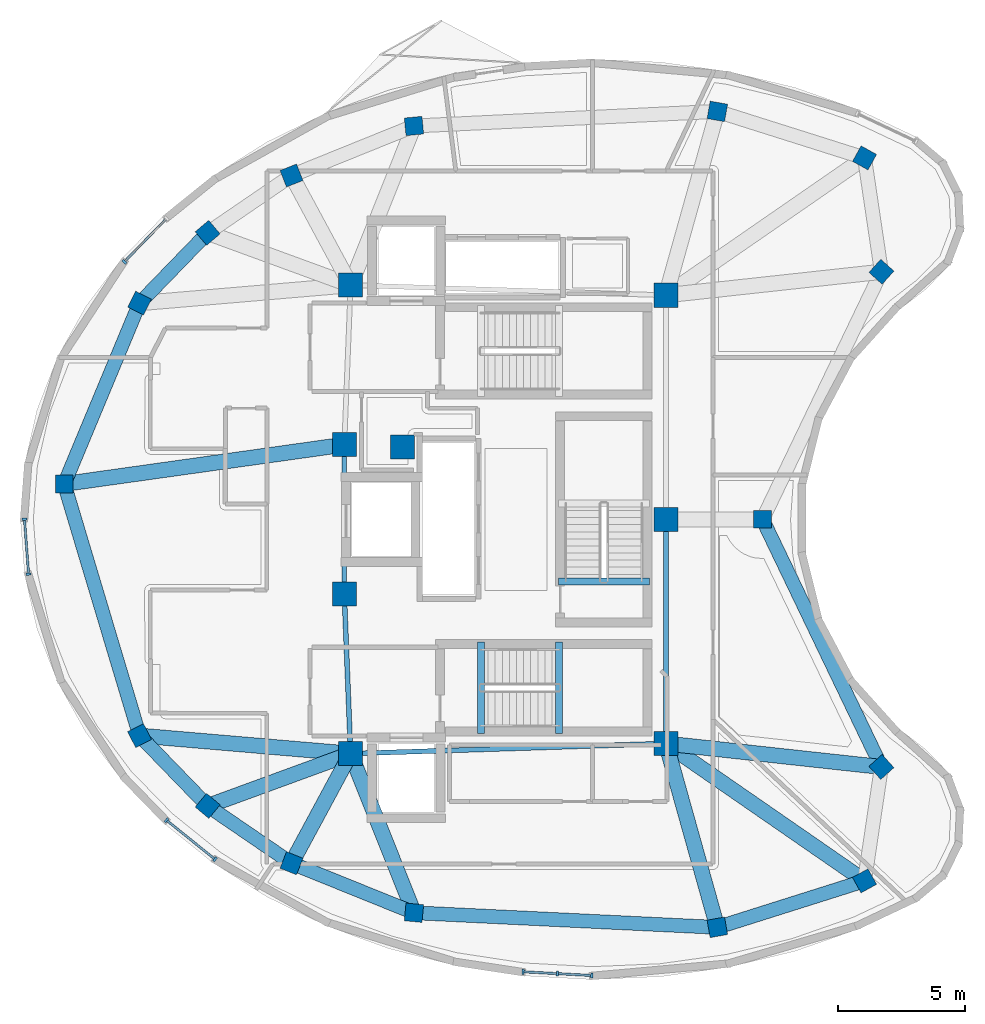
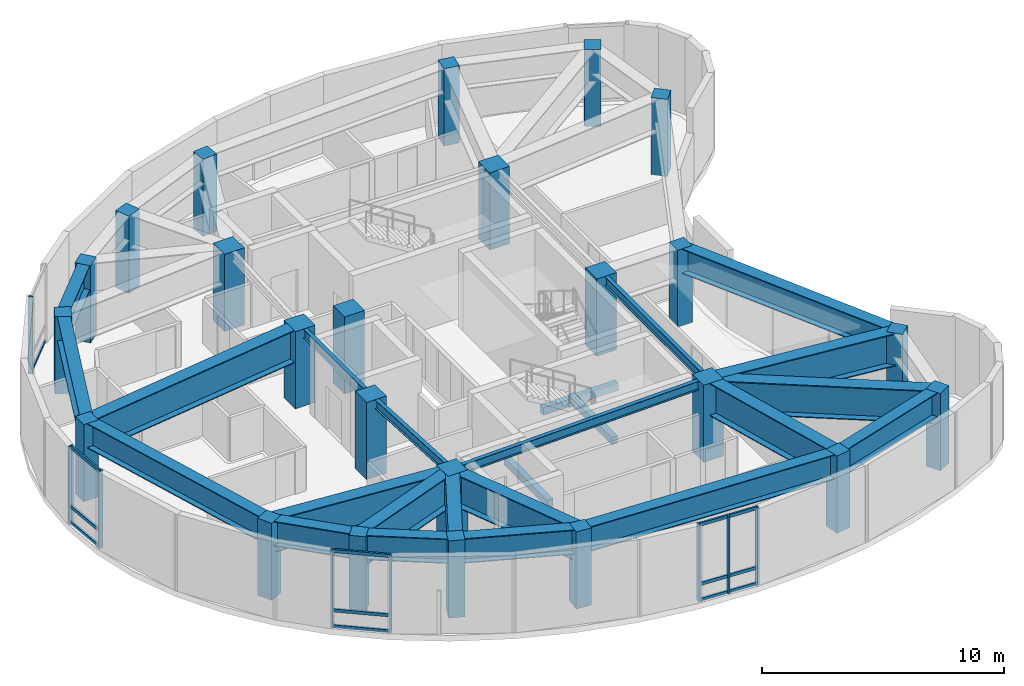
# One storey, part 1 of 8: 24 beams, 24 columns, 21 members, 4 elements without a shape of their own.
"""IFC4 building model written with IfcOpenShell, lengths in metres."""

from ifc_helpers import new_model, si_unit, direction, frame, origin, origin_2d, place, context, subcontext, project, spatial, rectangle, i_section, extrude, material, layer, layer_set, material_profile, profile_set, type_object, element, aggregate, save


model = new_model("IFC4")

# Units and contexts
model_context = context("Model", 3, precision=1e-05, world=origin(), true_north=direction((0.0, 1.0)))
body_context = subcontext(model_context, "Body", "Model", "MODEL_VIEW")
ifc_project = project(units=[si_unit("LENGTHUNIT", "METRE"), si_unit("AREAUNIT", "SQUARE_METRE"), si_unit("VOLUMEUNIT", "CUBIC_METRE"), si_unit("PLANEANGLEUNIT", "RADIAN"), si_unit("MASSUNIT", "GRAM", prefix="KILO")], contexts=[model_context])

# Site, building, storey
site_placement = place(None, origin())
site = spatial("IfcSite", under=ifc_project, at=site_placement, CompositionType="ELEMENT")
building_placement = place(site_placement, origin())
building = spatial("IfcBuilding", under=site, at=building_placement, Name="Korentha Bioscience Tower", CompositionType="ELEMENT")
storey_placement = place(building_placement, frame((0.0, 0.0, 314.39990234375)))
storey = spatial("IfcBuildingStorey", under=building, at=storey_placement, Name="L72", CompositionType="ELEMENT", Elevation=314.39990234375)

# Columns
ifc_material_1 = material(Name="Concrete C65", Category="concrete")
ifc_material_profile_1 = material_profile(ifc_material_1, rectangle(XDim=0.949951171875, YDim=0.949951171875, at=origin_2d()), Name="Concrete C65")
ifc_profile_set_1 = profile_set([ifc_material_profile_1], Name="Concrete C65 (COL-CP09)")
column_type_1 = type_object("IfcColumnType", Name="Core Pilaster Column RC 950x950", PredefinedType="PILASTER", material=ifc_profile_set_1)
for number, where, z_axis, x_axis, name in (
    (1, (37.550048828125, 35.85009765625, -0.00048828125), (0.0, 0.0, 1.0), (1.0, 0.0, 0.0), "L72 Core Pilaster CP-01"),
    (2, (25.10009765625, 36.25, -0.00048828125), (0.0, 0.0, 1.0), (1.0, 0.0, 0.0), "L72 Core Pilaster CP-02"),
    (3, (24.85009765625, 29.949951171875, -0.00048828125), (0.0, 0.0, 1.0), (1.0, 0.0, 0.0), "L72 Core Pilaster CP-03"),
    (4, (27.14990234375, 29.85009765625, -0.00048828125), (0.0, 0.0, 1.0), (1.0, 0.0, 0.0), "L72 Core Pilaster CP-04"),
    (5, (24.85009765625, 24.050048828125, -0.00048828125), (0.0, 0.0, 1.0), (1.0, 0.0, 0.0), "L72 Core Pilaster CP-05"),
    (6, (25.10009765625, 17.75, -0.00048828125), (0.0, 0.0, 1.0), (1.0, 0.0, 0.0), "L72 Core Pilaster CP-06"),
    (7, (37.550048828125, 18.14990234375, -0.00048828125), (0.0, 0.0, 1.0), (1.0, 0.0, 0.0), "L72 Core Pilaster CP-07"),
    (8, (37.550048828125, 27.0, -0.00048828125), (0.0, 0.0, 1.0), (1.0, 0.0, 0.0), "L72 Core Pilaster CP-08"),
):
    element("IfcColumn", number, at=place(storey_placement, frame(where, z_axis=z_axis, x_axis=x_axis)), inside=storey, type_object=column_type_1, Name=name, PredefinedType="PILASTER", context=body_context, shape_type="SweptSolid", body=[
        extrude(rectangle(XDim=0.949951171875, YDim=0.949951171875, at=origin_2d()), origin(), (0.0, 0.0, 1.0), 3.901123046875),
    ])
ifc_material_2 = material(Name="Concrete C50", Category="concrete")
ifc_material_profile_2 = material_profile(ifc_material_2, rectangle(XDim=0.699951171875, YDim=0.699951171875, at=origin_2d()), Name="Concrete C50")
ifc_profile_set_2 = profile_set([ifc_material_profile_2], Name="Concrete C50 (COL-P07)")
column_type_2 = type_object("IfcColumnType", Name="Perimeter Column RC 700x700", PredefinedType="COLUMN", material=ifc_profile_set_2)
for number, where, z_axis, x_axis, name in (
    (9, (45.393310546875, 41.273681640625, -0.00048828125), (0.0, 0.0, 1.0), (-0.874535078577, 0.484962262797, 0.0), "L72 Perimeter Column 01"),
    (10, (39.581787109375, 43.110595703125, -0.00048828125), (0.0, 0.0, 1.0), (-0.984868307662, 0.173304404339, 0.0), "L72 Perimeter Column 02"),
    (11, (27.60205078125, 42.53369140625, -0.00048828125), (0.0, 0.0, 1.0), (0.995462868748, 0.095150811579, 0.0), "L72 Perimeter Column 03"),
    (12, (22.766357421875, 40.57861328125, -0.00048828125), (0.0, 0.0, 1.0), (0.930225540858, 0.366988341962, 0.0), "L72 Perimeter Column 04"),
    (13, (19.455810546875, 38.315185546875, -0.00048828125), (0.0, 0.0, 1.0), (0.764246456939, 0.644924300253, 0.0), "L72 Perimeter Column 05"),
    (14, (16.76708984375, 35.53955078125, -0.00048828125), (0.0, 0.0, 1.0), (0.453057191132, 0.891481453292, 0.0), "L72 Perimeter Column 06"),
    (15, (13.791015625, 28.398681640625, -0.00048828125), (0.0, 0.0, 1.0), (0.0, 1.0, 0.0), "L72 Perimeter Column 07"),
    (16, (16.76708984375, 18.46044921875, -0.00048828125), (0.0, 0.0, 1.0), (-0.453057191132, 0.891481453292, 0.0), "L72 Perimeter Column 08"),
    (17, (19.455810546875, 15.684814453125, -0.00048828125), (0.0, 0.0, 1.0), (-0.764246456939, 0.644924300253, 0.0), "L72 Perimeter Column 09"),
    (18, (22.766357421875, 13.42138671875, -0.00048828125), (0.0, 0.0, 1.0), (-0.930225540858, 0.366988341962, 0.0), "L72 Perimeter Column 10"),
    (19, (27.60205078125, 11.46630859375, -0.00048828125), (0.0, 0.0, 1.0), (-0.995462868748, 0.095150811579, 0.0), "L72 Perimeter Column 11"),
    (20, (39.581787109375, 10.889404296875, -0.00048828125), (0.0, 0.0, 1.0), (0.984868307662, 0.173304404339, 0.0), "L72 Perimeter Column 12"),
    (21, (45.393310546875, 12.726318359375, -0.00048828125), (0.0, 0.0, 1.0), (0.874535078577, 0.484962262797, 0.0), "L72 Perimeter Column 13"),
    (22, (46.060791015625, 17.22265625, -0.00048828125), (0.0, 0.0, 1.0), (-0.669130606359, 0.743144825477, 0.0), "L72 Perimeter Column 14"),
    (23, (41.36572265625, 27.0, -0.00048828125), (0.0, 0.0, 1.0), (0.0, 1.0, 0.0), "L72 Perimeter Column 15"),
    (24, (46.060791015625, 36.77734375, -0.00048828125), (0.0, 0.0, 1.0), (0.669130606359, 0.743144825477, 0.0), "L72 Perimeter Column 16"),
):
    element("IfcColumn", number, at=place(storey_placement, frame(where, z_axis=z_axis, x_axis=x_axis)), inside=storey, type_object=column_type_2, Name=name, PredefinedType="COLUMN", context=body_context, shape_type="SweptSolid", body=[
        extrude(rectangle(XDim=0.699951171875, YDim=0.699951171875, at=origin_2d()), origin(), (0.0, 0.0, 1.0), 3.901123046875),
    ])

# Beams
ifc_material_profile_3 = material_profile(ifc_material_2, rectangle(XDim=0.280029296875, YDim=0.3798828125, at=origin_2d()), Name="Concrete C50")
ifc_profile_set_3 = profile_set([ifc_material_profile_3], Name="Concrete C50 (ST-HB380)")
beam_type_1 = type_object("IfcBeamType", Name="Concrete Stair Header Beam RC 280x380", PredefinedType="BEAM", material=ifc_profile_set_3)
for number, where, z_axis, x_axis, name in (
    (25, (30.25, 18.550048828125, -0.18994140625), (0.0, 1.0, 0.0), (-1.0, 0.0, 0.0), "L72 ST-2 Concrete Stair Header Beam"),
    (26, (33.330078125, 18.550048828125, 1.91015625), (0.0, 1.0, 0.0), (-1.0, 0.0, 0.0), "L72 ST-2 Half-Landing Header Beam 1"),
    (27, (36.89990234375, 24.550048828125, -0.18994140625), (-1.0, 0.0, 0.0), (0.0, -1.0, 0.0), "L72 ST-3 Concrete Stair Header Beam"),
):
    element("IfcBeam", number, at=place(storey_placement, frame(where, z_axis=z_axis, x_axis=x_axis)), inside=storey, type_object=beam_type_1, Name=name, PredefinedType="BEAM", context=body_context, shape_type="SweptSolid", body=[
        extrude(rectangle(XDim=0.280029296875, YDim=0.3798828125, at=origin_2d()), origin(), (0.0, 0.0, 1.0), 3.599853515625),
    ])
ifc_material_3 = material(Name="Steel S355", Category="steel")
ifc_material_profile_4 = material_profile(ifc_material_3, i_section(OverallWidth=0.550048828125, OverallDepth=1.25, WebThickness=0.02392578125, FlangeThickness=0.0400390625, at=origin_2d()), Name="Steel S355")
ifc_profile_set_4 = profile_set([ifc_material_profile_4], Name="Steel S355 (TG-03)")
beam_type_2 = type_object("IfcBeamType", Name="Crown Step Transfer Girder CVS 1250x510", PredefinedType="USERDEFINED", material=ifc_profile_set_4)
beam_1_placement = place(storey_placement, frame((19.455810546875, 38.315185546875, 3.275146484375), z_axis=(-0.695771790517, -0.718262915317, 0.0), x_axis=(0.718262915317, -0.695771790517, 0.0)))
element("IfcBeam", 28, at=beam_1_placement, inside=storey, type_object=beam_type_2, Name="L72 Perimeter Spandrel Girder 05", ObjectType="TRANSFER_GIRDER", PredefinedType="USERDEFINED", context=body_context, shape_type="SweptSolid", body=[
    extrude(i_section(OverallWidth=0.550048828125, OverallDepth=1.25, WebThickness=0.02392578125, FlangeThickness=0.0400390625, at=origin_2d()), origin(), (0.0, 0.0, 1.0), 3.8642578125),
])
beam_2_placement = place(storey_placement, frame((16.76708984375, 35.53955078125, 3.275146484375), z_axis=(-0.384693811758, -0.923044241191, 0.0), x_axis=(0.923044241191, -0.384693811758, 0.0)))
element("IfcBeam", 29, at=beam_2_placement, inside=storey, type_object=beam_type_2, Name="L72 Perimeter Spandrel Girder 06", ObjectType="TRANSFER_GIRDER", PredefinedType="USERDEFINED", context=body_context, shape_type="SweptSolid", body=[
    extrude(i_section(OverallWidth=0.550048828125, OverallDepth=1.25, WebThickness=0.02392578125, FlangeThickness=0.0400390625, at=origin_2d()), origin(), (0.0, 0.0, 1.0), 7.736328125),
])
beam_3_placement = place(storey_placement, frame((13.791015625, 28.398681640625, 3.275146484375), z_axis=(0.286870707223, -0.957969309183, 0.0), x_axis=(0.957969309183, 0.286870707223, 0.0)))
element("IfcBeam", 30, at=beam_3_placement, inside=storey, type_object=beam_type_2, Name="L72 Perimeter Spandrel Girder 07", ObjectType="TRANSFER_GIRDER", PredefinedType="USERDEFINED", context=body_context, shape_type="SweptSolid", body=[
    extrude(i_section(OverallWidth=0.550048828125, OverallDepth=1.25, WebThickness=0.02392578125, FlangeThickness=0.0400390625, at=origin_2d()), origin(), (0.0, 0.0, 1.0), 10.374267578125),
])
beam_4_placement = place(storey_placement, frame((16.76708984375, 18.46044921875, 3.275146484375), z_axis=(0.695771790517, -0.718262915317, 0.0), x_axis=(0.718262915317, 0.695771790517, 0.0)))
element("IfcBeam", 31, at=beam_4_placement, inside=storey, type_object=beam_type_2, Name="L72 Perimeter Spandrel Girder 08", ObjectType="TRANSFER_GIRDER", PredefinedType="USERDEFINED", context=body_context, shape_type="SweptSolid", body=[
    extrude(i_section(OverallWidth=0.550048828125, OverallDepth=1.25, WebThickness=0.02392578125, FlangeThickness=0.0400390625, at=origin_2d()), origin(), (0.0, 0.0, 1.0), 3.8642578125),
])
beam_5_placement = place(storey_placement, frame((19.455810546875, 15.684814453125, 3.275146484375), z_axis=(0.825502824703, -0.564397985828, 0.0), x_axis=(0.564397985828, 0.825502824703, 0.0)))
element("IfcBeam", 32, at=beam_5_placement, inside=storey, type_object=beam_type_2, Name="L72 Perimeter Spandrel Girder 09", ObjectType="TRANSFER_GIRDER", PredefinedType="USERDEFINED", context=body_context, shape_type="SweptSolid", body=[
    extrude(i_section(OverallWidth=0.550048828125, OverallDepth=1.25, WebThickness=0.02392578125, FlangeThickness=0.0400390625, at=origin_2d()), origin(), (0.0, 0.0, 1.0), 4.01025390625),
])
beam_6_placement = place(storey_placement, frame((22.766357421875, 13.42138671875, 3.275146484375), z_axis=(0.92709518526, -0.374825982913, 0.0), x_axis=(0.374825982913, 0.92709518526, 0.0)))
element("IfcBeam", 33, at=beam_6_placement, inside=storey, type_object=beam_type_2, Name="L72 Perimeter Spandrel Girder 10", ObjectType="TRANSFER_GIRDER", PredefinedType="USERDEFINED", context=body_context, shape_type="SweptSolid", body=[
    extrude(i_section(OverallWidth=0.550048828125, OverallDepth=1.25, WebThickness=0.02392578125, FlangeThickness=0.0400390625, at=origin_2d()), origin(), (0.0, 0.0, 1.0), 5.216064453125),
])
beam_7_placement = place(storey_placement, frame((27.60205078125, 11.46630859375, 3.275146484375), z_axis=(0.998842480099, -0.04810093502, 0.0), x_axis=(0.04810093502, 0.998842480099, 0.0)))
element("IfcBeam", 34, at=beam_7_placement, inside=storey, type_object=beam_type_2, Name="L72 Perimeter Spandrel Girder 11", ObjectType="TRANSFER_GIRDER", PredefinedType="USERDEFINED", context=body_context, shape_type="SweptSolid", body=[
    extrude(i_section(OverallWidth=0.550048828125, OverallDepth=1.25, WebThickness=0.02392578125, FlangeThickness=0.0400390625, at=origin_2d()), origin(), (0.0, 0.0, 1.0), 11.99365234375),
])
beam_8_placement = place(storey_placement, frame((39.581787109375, 10.889404296875, 3.275146484375), z_axis=(0.953502720539, 0.301384408895, 0.0), x_axis=(-0.301384408895, 0.953502720539, 0.0)))
element("IfcBeam", 35, at=beam_8_placement, inside=storey, type_object=beam_type_2, Name="L72 Perimeter Spandrel Girder 12", ObjectType="TRANSFER_GIRDER", PredefinedType="USERDEFINED", context=body_context, shape_type="SweptSolid", body=[
    extrude(i_section(OverallWidth=0.550048828125, OverallDepth=1.25, WebThickness=0.02392578125, FlangeThickness=0.0400390625, at=origin_2d()), origin(), (0.0, 0.0, 1.0), 6.094970703125),
])
beam_9_placement = place(storey_placement, frame((46.060791015625, 17.22265625, 3.275146484375), z_axis=(-0.432876684637, 0.901453146812, 0.0), x_axis=(-0.901453146812, -0.432876684637, 0.0)))
element("IfcBeam", 36, at=beam_9_placement, inside=storey, type_object=beam_type_2, Name="L72 Perimeter Spandrel Girder 14", ObjectType="TRANSFER_GIRDER", PredefinedType="USERDEFINED", context=body_context, shape_type="SweptSolid", body=[
    extrude(i_section(OverallWidth=0.550048828125, OverallDepth=1.25, WebThickness=0.02392578125, FlangeThickness=0.0400390625, at=origin_2d()), origin(), (0.0, 0.0, 1.0), 10.84619140625),
])
ifc_material_profile_5 = material_profile(ifc_material_3, i_section(OverallWidth=0.60009765625, OverallDepth=1.64990234375, WebThickness=0.02587890625, FlangeThickness=0.0439453125, at=origin_2d()), Name="Steel S355")
ifc_profile_set_5 = profile_set([ifc_material_profile_5], Name="Steel S355 (TG-04)")
beam_type_3 = type_object("IfcBeamType", Name="Deep Setback Transfer Girder CVS 1650x620", PredefinedType="USERDEFINED", material=ifc_profile_set_5)
beam_10_placement = place(storey_placement, frame((24.85009765625, 29.949951171875, 3.0751953125), z_axis=(-0.99030484903, -0.138911144217, 0.0), x_axis=(0.138911144217, -0.99030484903, 0.0)))
element("IfcBeam", 37, at=beam_10_placement, inside=storey, type_object=beam_type_3, Name="L72 Radial Transfer Girder 07", ObjectType="TRANSFER_GIRDER", PredefinedType="USERDEFINED", context=body_context, shape_type="SweptSolid", body=[
    extrude(i_section(OverallWidth=0.60009765625, OverallDepth=1.64990234375, WebThickness=0.02587890625, FlangeThickness=0.0439453125, at=origin_2d()), origin(), (0.0, 0.0, 1.0), 11.167236328125),
])
beam_11_placement = place(storey_placement, frame((25.10009765625, 17.75, 3.0751953125), z_axis=(-0.996385295821, 0.084949056921, 0.0), x_axis=(-0.084949056921, -0.996385295821, 0.0)))
element("IfcBeam", 38, at=beam_11_placement, inside=storey, type_object=beam_type_3, Name="L72 Radial Transfer Girder 08", ObjectType="TRANSFER_GIRDER", PredefinedType="USERDEFINED", context=body_context, shape_type="SweptSolid", body=[
    extrude(i_section(OverallWidth=0.60009765625, OverallDepth=1.64990234375, WebThickness=0.02587890625, FlangeThickness=0.0439453125, at=origin_2d()), origin(), (0.0, 0.0, 1.0), 8.36328125),
])
beam_12_placement = place(storey_placement, frame((25.10009765625, 17.75, 3.0751953125), z_axis=(-0.9391119825, -0.343611240104, 0.0), x_axis=(0.343611240104, -0.9391119825, 0.0)))
element("IfcBeam", 39, at=beam_12_placement, inside=storey, type_object=beam_type_3, Name="L72 Radial Transfer Girder 09", ObjectType="TRANSFER_GIRDER", PredefinedType="USERDEFINED", context=body_context, shape_type="SweptSolid", body=[
    extrude(i_section(OverallWidth=0.60009765625, OverallDepth=1.64990234375, WebThickness=0.02587890625, FlangeThickness=0.0439453125, at=origin_2d()), origin(), (0.0, 0.0, 1.0), 6.01025390625),
])
beam_13_placement = place(storey_placement, frame((25.10009765625, 17.75, 3.0751953125), z_axis=(-0.474564560434, -0.88022069845, 0.0), x_axis=(0.88022069845, -0.474564560434, 0.0)))
element("IfcBeam", 40, at=beam_13_placement, inside=storey, type_object=beam_type_3, Name="L72 Radial Transfer Girder 10", ObjectType="TRANSFER_GIRDER", PredefinedType="USERDEFINED", context=body_context, shape_type="SweptSolid", body=[
    extrude(i_section(OverallWidth=0.60009765625, OverallDepth=1.64990234375, WebThickness=0.02587890625, FlangeThickness=0.0439453125, at=origin_2d()), origin(), (0.0, 0.0, 1.0), 4.917724609375),
])
beam_14_placement = place(storey_placement, frame((25.10009765625, 17.75, 3.0751953125), z_axis=(0.369921439624, -0.929063037962, 0.0), x_axis=(0.929063037962, 0.369921439624, 0.0)))
element("IfcBeam", 41, at=beam_14_placement, inside=storey, type_object=beam_type_3, Name="L72 Radial Transfer Girder 11", ObjectType="TRANSFER_GIRDER", PredefinedType="USERDEFINED", context=body_context, shape_type="SweptSolid", body=[
    extrude(i_section(OverallWidth=0.60009765625, OverallDepth=1.64990234375, WebThickness=0.02587890625, FlangeThickness=0.0439453125, at=origin_2d()), origin(), (0.0, 0.0, 1.0), 6.763427734375),
])
beam_15_placement = place(storey_placement, frame((37.550048828125, 18.14990234375, 3.0751953125), z_axis=(0.269482185926, -0.963005374579, 0.0), x_axis=(0.963005374579, 0.269482185926, 0.0)))
element("IfcBeam", 42, at=beam_15_placement, inside=storey, type_object=beam_type_3, Name="L72 Radial Transfer Girder 12", ObjectType="TRANSFER_GIRDER", PredefinedType="USERDEFINED", context=body_context, shape_type="SweptSolid", body=[
    extrude(i_section(OverallWidth=0.60009765625, OverallDepth=1.64990234375, WebThickness=0.02587890625, FlangeThickness=0.0439453125, at=origin_2d()), origin(), (0.0, 0.0, 1.0), 7.539306640625),
])
beam_16_placement = place(storey_placement, frame((37.550048828125, 18.14990234375, 3.0751953125), z_axis=(0.822504520154, -0.56875857297, 0.0), x_axis=(0.56875857297, 0.822504520154, 0.0)))
element("IfcBeam", 43, at=beam_16_placement, inside=storey, type_object=beam_type_3, Name="L72 Radial Transfer Girder 13", ObjectType="TRANSFER_GIRDER", PredefinedType="USERDEFINED", context=body_context, shape_type="SweptSolid", body=[
    extrude(i_section(OverallWidth=0.60009765625, OverallDepth=1.64990234375, WebThickness=0.02587890625, FlangeThickness=0.0439453125, at=origin_2d()), origin(), (0.0, 0.0, 1.0), 9.535888671875),
])
beam_17_placement = place(storey_placement, frame((37.550048828125, 18.14990234375, 3.0751953125), z_axis=(0.994117259507, -0.108309160975, 0.0), x_axis=(0.108309160975, 0.994117259507, 0.0)))
element("IfcBeam", 44, at=beam_17_placement, inside=storey, type_object=beam_type_3, Name="L72 Radial Transfer Girder 14", ObjectType="TRANSFER_GIRDER", PredefinedType="USERDEFINED", context=body_context, shape_type="SweptSolid", body=[
    extrude(i_section(OverallWidth=0.60009765625, OverallDepth=1.64990234375, WebThickness=0.02587890625, FlangeThickness=0.0439453125, at=origin_2d()), origin(), (0.0, 0.0, 1.0), 8.56103515625),
])
ifc_material_profile_6 = material_profile(ifc_material_3, i_section(OverallWidth=0.18994140625, OverallDepth=0.45703125, WebThickness=0.009033203125, FlangeThickness=0.014404296875, at=origin_2d()), Name="Steel S355")
ifc_profile_set_6 = profile_set([ifc_material_profile_6], Name="Steel S355 (MB-460)")
beam_type_4 = type_object("IfcBeamType", Name="Mid-Ring Tie Girder W460x74", PredefinedType="BEAM", material=ifc_profile_set_6)
beam_18_placement = place(storey_placement, frame((24.85009765625, 29.949951171875, 3.671630859375), z_axis=(0.0, -1.0, 0.0), x_axis=(1.0, 0.0, 0.0)))
element("IfcBeam", 45, at=beam_18_placement, inside=storey, type_object=beam_type_4, Name="L72 Core Ring Tie Girder 03", PredefinedType="BEAM", context=body_context, shape_type="SweptSolid", body=[
    extrude(i_section(OverallWidth=0.18994140625, OverallDepth=0.45703125, WebThickness=0.009033203125, FlangeThickness=0.014404296875, at=origin_2d()), origin(), (0.0, 0.0, 1.0), 5.89990234375),
])
beam_19_placement = place(storey_placement, frame((24.85009765625, 24.050048828125, 3.671630859375), z_axis=(0.039651025576, -0.999213588864, 0.0), x_axis=(0.999213588864, 0.039651025576, 0.0)))
element("IfcBeam", 46, at=beam_19_placement, inside=storey, type_object=beam_type_4, Name="L72 Core Ring Tie Girder 04", PredefinedType="BEAM", context=body_context, shape_type="SweptSolid", body=[
    extrude(i_section(OverallWidth=0.18994140625, OverallDepth=0.45703125, WebThickness=0.009033203125, FlangeThickness=0.014404296875, at=origin_2d()), origin(), (0.0, 0.0, 1.0), 6.304931640625),
])
beam_20_placement = place(storey_placement, frame((25.10009765625, 17.75, 3.671630859375), z_axis=(0.999484526071, 0.032104238723, 0.0), x_axis=(-0.032104238723, 0.999484526071, 0.0)))
element("IfcBeam", 47, at=beam_20_placement, inside=storey, type_object=beam_type_4, Name="L72 Core Ring Tie Girder 05", PredefinedType="BEAM", context=body_context, shape_type="SweptSolid", body=[
    extrude(i_section(OverallWidth=0.18994140625, OverallDepth=0.45703125, WebThickness=0.009033203125, FlangeThickness=0.014404296875, at=origin_2d()), origin(), (0.0, 0.0, 1.0), 12.456298828125),
])
beam_21_placement = place(storey_placement, frame((37.550048828125, 18.14990234375, 3.671630859375), z_axis=(0.0, 1.0, 0.0), x_axis=(-1.0, 0.0, 0.0)))
element("IfcBeam", 48, at=beam_21_placement, inside=storey, type_object=beam_type_4, Name="L72 Core Ring Tie Girder 06", PredefinedType="BEAM", context=body_context, shape_type="SweptSolid", body=[
    extrude(i_section(OverallWidth=0.18994140625, OverallDepth=0.45703125, WebThickness=0.009033203125, FlangeThickness=0.014404296875, at=origin_2d()), origin(), (0.0, 0.0, 1.0), 8.85009765625),
])

# Curtain wall, member
ifc_material_4 = material(Name="Structural Silicone Glazed Aluminium", Category="aluminium")
ifc_layer = layer(ifc_material_4, 0.219970703125, Name="Structural Silicone Glazed Aluminium")
ifc_layer_set = layer_set([ifc_layer], Name="Structural Silicone Glazed Aluminium (CW-O1)")
curtain_wall_type = type_object("IfcCurtainWallType", Name="Sky Observatory Acoustic Curtain Wall CW-O1", PredefinedType="USERDEFINED", material=ifc_layer_set)
curtain_wall_1_placement = place(storey_placement, origin())
curtain_wall_1 = element("IfcCurtainWall", 49, at=curtain_wall_1_placement, inside=storey, type_object=curtain_wall_type, Name="L72 Curtain Wall 13", ObjectType="UNITISED", PredefinedType="USERDEFINED")
ifc_material_5 = material(Name="Anodised Aluminium 6063-T6", Category="aluminium")
ifc_material_profile_7 = material_profile(ifc_material_5, rectangle(XDim=0.090087890625, YDim=0.199951171875, at=origin_2d()), Name="Anodised Aluminium 6063-T6")
ifc_profile_set_7 = profile_set([ifc_material_profile_7], Name="Anodised Aluminium 6063-T6 (CW-MUL)")
member_type_1 = type_object("IfcMemberType", Name="Mullion RECT 90x200", PredefinedType="MULLION", material=ifc_profile_set_7)
member_1_placement = place(storey_placement, frame((16.16552734375, 37.170166015625, 0.0), z_axis=(0.0, 0.0, 1.0), x_axis=(-0.697567217128, -0.716519349067, 0.0)))
member_1 = element("IfcMember", 50, at=member_1_placement, type_object=member_type_1, Name="CW-L72-13 Mullion 2", PredefinedType="MULLION", context=body_context, shape_type="SweptSolid", body=[
    extrude(rectangle(XDim=0.090087890625, YDim=0.199951171875, at=origin_2d()), origin(), (0.0, 0.0, 1.0), 3.900146484375),
])

# Curtain wall, members
curtain_wall_2_placement = place(storey_placement, origin())
curtain_wall_2 = element("IfcCurtainWall", 51, at=curtain_wall_2_placement, inside=storey, type_object=curtain_wall_type, Name="L72 Curtain Wall 19", ObjectType="UNITISED", PredefinedType="USERDEFINED")
member_2_placement = place(storey_placement, frame((12.220947265625, 27.007080078125, 0.0), z_axis=(0.0, 0.0, 1.0), x_axis=(0.075073021346, -0.997178039001, 0.0)))
member_2 = element("IfcMember", 52, at=member_2_placement, type_object=member_type_1, Name="CW-L72-19 Mullion 1", PredefinedType="MULLION", context=body_context, shape_type="SweptSolid", body=[
    extrude(rectangle(XDim=0.090087890625, YDim=0.199951171875, at=origin_2d()), origin(), (0.0, 0.0, 1.0), 3.900146484375),
])
member_3_placement = place(storey_placement, frame((12.38427734375, 24.83740234375, 0.0), z_axis=(0.0, 0.0, 1.0), x_axis=(0.075073021346, -0.997178039001, 0.0)))
member_3 = element("IfcMember", 53, at=member_3_placement, type_object=member_type_1, Name="CW-L72-19 Mullion 2", PredefinedType="MULLION", context=body_context, shape_type="SweptSolid", body=[
    extrude(rectangle(XDim=0.090087890625, YDim=0.199951171875, at=origin_2d()), origin(), (0.0, 0.0, 1.0), 3.900146484375),
])

curtain_wall_3_placement = place(storey_placement, origin())
curtain_wall_3 = element("IfcCurtainWall", 54, at=curtain_wall_3_placement, inside=storey, type_object=curtain_wall_type, Name="L72 Curtain Wall 25", ObjectType="UNITISED", PredefinedType="USERDEFINED")
member_4_placement = place(storey_placement, frame((17.829345703125, 15.1201171875, 0.0), z_axis=(0.0, 0.0, 1.0), x_axis=(0.778807101094, -0.62726350068, 0.0)))
member_4 = element("IfcMember", 55, at=member_4_placement, type_object=member_type_1, Name="CW-L72-25 Mullion 1", PredefinedType="MULLION", context=body_context, shape_type="SweptSolid", body=[
    extrude(rectangle(XDim=0.090087890625, YDim=0.199951171875, at=origin_2d()), origin(), (0.0, 0.0, 1.0), 3.900146484375),
])
member_5_placement = place(storey_placement, frame((19.74609375, 13.576171875, 0.0), z_axis=(0.0, 0.0, 1.0), x_axis=(0.778807101094, -0.62726350068, 0.0)))
member_5 = element("IfcMember", 56, at=member_5_placement, type_object=member_type_1, Name="CW-L72-25 Mullion 2", PredefinedType="MULLION", context=body_context, shape_type="SweptSolid", body=[
    extrude(rectangle(XDim=0.090087890625, YDim=0.199951171875, at=origin_2d()), origin(), (0.0, 0.0, 1.0), 3.900146484375),
])

curtain_wall_4_placement = place(storey_placement, origin())
curtain_wall_4 = element("IfcCurtainWall", 57, at=curtain_wall_4_placement, inside=storey, type_object=curtain_wall_type, Name="L72 Curtain Wall 31", ObjectType="UNITISED", PredefinedType="USERDEFINED")
member_6_placement = place(storey_placement, frame((31.909423828125, 9.13623046875, 0.0), z_axis=(0.0, 0.0, 1.0), x_axis=(0.998526001182, -0.054275454513, 0.0)))
member_6 = element("IfcMember", 58, at=member_6_placement, type_object=member_type_1, Name="CW-L72-31 Mullion 1", PredefinedType="MULLION", context=body_context, shape_type="SweptSolid", body=[
    extrude(rectangle(XDim=0.090087890625, YDim=0.199951171875, at=origin_2d()), origin(), (0.0, 0.0, 1.0), 3.900146484375),
])
member_7_placement = place(storey_placement, frame((33.267333984375, 9.0625, 0.0), z_axis=(0.0, 0.0, 1.0), x_axis=(0.998526001182, -0.054275454513, 0.0)))
member_7 = element("IfcMember", 59, at=member_7_placement, type_object=member_type_1, Name="CW-L72-31 Mullion 2", PredefinedType="MULLION", context=body_context, shape_type="SweptSolid", body=[
    extrude(rectangle(XDim=0.090087890625, YDim=0.199951171875, at=origin_2d()), origin(), (0.0, 0.0, 1.0), 3.900146484375),
])
member_8_placement = place(storey_placement, frame((34.625244140625, 8.988525390625, 0.0), z_axis=(0.0, 0.0, 1.0), x_axis=(0.998526001182, -0.054275454513, 0.0)))
member_8 = element("IfcMember", 60, at=member_8_placement, type_object=member_type_1, Name="CW-L72-31 Mullion 3", PredefinedType="MULLION", context=body_context, shape_type="SweptSolid", body=[
    extrude(rectangle(XDim=0.090087890625, YDim=0.199951171875, at=origin_2d()), origin(), (0.0, 0.0, 1.0), 3.900146484375),
])

# Member
ifc_material_profile_8 = material_profile(ifc_material_5, rectangle(XDim=0.090087890625, YDim=0.159912109375, at=origin_2d()), Name="Anodised Aluminium 6063-T6")
ifc_profile_set_8 = profile_set([ifc_material_profile_8], Name="Anodised Aluminium 6063-T6 (CW-TRN)")
member_type_2 = type_object("IfcMemberType", Name="Transom RECT 90x160", PredefinedType="USERDEFINED", material=ifc_profile_set_8)
member_9_placement = place(storey_placement, frame((17.804931640625, 38.85400390625, 0.045166015625), z_axis=(-0.697563742003, -0.716522732258, 0.0), x_axis=(0.716522732258, -0.697563742003, 0.0)))
member_9 = element("IfcMember", 61, at=member_9_placement, type_object=member_type_2, Name="CW-L72-13 Bay 1 Transom 1", ObjectType="TRANSOM", PredefinedType="USERDEFINED", context=body_context, shape_type="SweptSolid", body=[
    extrude(rectangle(XDim=0.090087890625, YDim=0.159912109375, at=origin_2d()), origin(), (0.0, 0.0, 1.0), 2.304931640625),
])

aggregate(curtain_wall_1, [member_1, member_9])

member_10_placement = place(storey_placement, frame((12.224365234375, 26.962158203125, 0.045166015625), z_axis=(0.075022717108, -0.997181824903, 0.0), x_axis=(0.997181824903, 0.075022717108, 0.0)))
member_10 = element("IfcMember", 62, at=member_10_placement, type_object=member_type_2, Name="CW-L72-19 Bay 1 Transom 1", ObjectType="TRANSOM", PredefinedType="USERDEFINED", context=body_context, shape_type="SweptSolid", body=[
    extrude(rectangle(XDim=0.090087890625, YDim=0.159912109375, at=origin_2d()), origin(), (0.0, 0.0, 1.0), 2.0859375),
])

member_11_placement = place(storey_placement, frame((12.224365234375, 26.962158203125, 0.85009765625), z_axis=(0.075022717108, -0.997181824903, 0.0), x_axis=(0.997181824903, 0.075022717108, 0.0)))
member_11 = element("IfcMember", 63, at=member_11_placement, type_object=member_type_2, Name="CW-L72-19 Bay 1 Transom 2", ObjectType="TRANSOM", PredefinedType="USERDEFINED", context=body_context, shape_type="SweptSolid", body=[
    extrude(rectangle(XDim=0.090087890625, YDim=0.159912109375, at=origin_2d()), origin(), (0.0, 0.0, 1.0), 2.0859375),
])

member_12_placement = place(storey_placement, frame((12.224365234375, 26.962158203125, 3.85498046875), z_axis=(0.075022717108, -0.997181824903, 0.0), x_axis=(0.997181824903, 0.075022717108, 0.0)))
member_12 = element("IfcMember", 64, at=member_12_placement, type_object=member_type_2, Name="CW-L72-19 Bay 1 Transom 3", ObjectType="TRANSOM", PredefinedType="USERDEFINED", context=body_context, shape_type="SweptSolid", body=[
    extrude(rectangle(XDim=0.090087890625, YDim=0.159912109375, at=origin_2d()), origin(), (0.0, 0.0, 1.0), 2.0859375),
])

aggregate(curtain_wall_2, [member_2, member_3, member_10, member_11, member_12])

member_13_placement = place(storey_placement, frame((17.864501953125, 15.091796875, 0.045166015625), z_axis=(0.778815384678, -0.627253215687, 0.0), x_axis=(0.627253215687, 0.778815384678, 0.0)))
member_13 = element("IfcMember", 65, at=member_13_placement, type_object=member_type_2, Name="CW-L72-25 Bay 1 Transom 1", ObjectType="TRANSOM", PredefinedType="USERDEFINED", context=body_context, shape_type="SweptSolid", body=[
    extrude(rectangle(XDim=0.090087890625, YDim=0.159912109375, at=origin_2d()), origin(), (0.0, 0.0, 1.0), 2.37109375),
])

member_14_placement = place(storey_placement, frame((17.864501953125, 15.091796875, 0.85009765625), z_axis=(0.778815384678, -0.627253215687, 0.0), x_axis=(0.627253215687, 0.778815384678, 0.0)))
member_14 = element("IfcMember", 66, at=member_14_placement, type_object=member_type_2, Name="CW-L72-25 Bay 1 Transom 2", ObjectType="TRANSOM", PredefinedType="USERDEFINED", context=body_context, shape_type="SweptSolid", body=[
    extrude(rectangle(XDim=0.090087890625, YDim=0.159912109375, at=origin_2d()), origin(), (0.0, 0.0, 1.0), 2.37109375),
])

member_15_placement = place(storey_placement, frame((17.864501953125, 15.091796875, 3.85498046875), z_axis=(0.778815384678, -0.627253215687, 0.0), x_axis=(0.627253215687, 0.778815384678, 0.0)))
member_15 = element("IfcMember", 67, at=member_15_placement, type_object=member_type_2, Name="CW-L72-25 Bay 1 Transom 3", ObjectType="TRANSOM", PredefinedType="USERDEFINED", context=body_context, shape_type="SweptSolid", body=[
    extrude(rectangle(XDim=0.090087890625, YDim=0.159912109375, at=origin_2d()), origin(), (0.0, 0.0, 1.0), 2.37109375),
])

aggregate(curtain_wall_3, [member_4, member_5, member_13, member_14, member_15])

member_16_placement = place(storey_placement, frame((31.95458984375, 9.1337890625, 0.045166015625), z_axis=(0.998518368514, -0.054415693874, 0.0), x_axis=(0.054415693874, 0.998518368514, 0.0)))
member_16 = element("IfcMember", 68, at=member_16_placement, type_object=member_type_2, Name="CW-L72-31 Bay 1 Transom 1", ObjectType="TRANSOM", PredefinedType="USERDEFINED", context=body_context, shape_type="SweptSolid", body=[
    extrude(rectangle(XDim=0.090087890625, YDim=0.159912109375, at=origin_2d()), origin(), (0.0, 0.0, 1.0), 1.269775390625),
])

member_17_placement = place(storey_placement, frame((31.95458984375, 9.1337890625, 0.85009765625), z_axis=(0.998518368514, -0.054415693874, 0.0), x_axis=(0.054415693874, 0.998518368514, 0.0)))
member_17 = element("IfcMember", 69, at=member_17_placement, type_object=member_type_2, Name="CW-L72-31 Bay 1 Transom 2", ObjectType="TRANSOM", PredefinedType="USERDEFINED", context=body_context, shape_type="SweptSolid", body=[
    extrude(rectangle(XDim=0.090087890625, YDim=0.159912109375, at=origin_2d()), origin(), (0.0, 0.0, 1.0), 1.269775390625),
])

member_18_placement = place(storey_placement, frame((31.95458984375, 9.1337890625, 3.85498046875), z_axis=(0.998518368514, -0.054415693874, 0.0), x_axis=(0.054415693874, 0.998518368514, 0.0)))
member_18 = element("IfcMember", 70, at=member_18_placement, type_object=member_type_2, Name="CW-L72-31 Bay 1 Transom 3", ObjectType="TRANSOM", PredefinedType="USERDEFINED", context=body_context, shape_type="SweptSolid", body=[
    extrude(rectangle(XDim=0.090087890625, YDim=0.159912109375, at=origin_2d()), origin(), (0.0, 0.0, 1.0), 1.269775390625),
])

member_19_placement = place(storey_placement, frame((33.312255859375, 9.059814453125, 0.045166015625), z_axis=(0.99852936305, -0.054213569576, 0.0), x_axis=(0.054213569576, 0.99852936305, 0.0)))
member_19 = element("IfcMember", 71, at=member_19_placement, type_object=member_type_2, Name="CW-L72-31 Bay 2 Transom 1", ObjectType="TRANSOM", PredefinedType="USERDEFINED", context=body_context, shape_type="SweptSolid", body=[
    extrude(rectangle(XDim=0.090087890625, YDim=0.159912109375, at=origin_2d()), origin(), (0.0, 0.0, 1.0), 1.27001953125),
])

member_20_placement = place(storey_placement, frame((33.312255859375, 9.059814453125, 0.85009765625), z_axis=(0.99852936305, -0.054213569576, 0.0), x_axis=(0.054213569576, 0.99852936305, 0.0)))
member_20 = element("IfcMember", 72, at=member_20_placement, type_object=member_type_2, Name="CW-L72-31 Bay 2 Transom 2", ObjectType="TRANSOM", PredefinedType="USERDEFINED", context=body_context, shape_type="SweptSolid", body=[
    extrude(rectangle(XDim=0.090087890625, YDim=0.159912109375, at=origin_2d()), origin(), (0.0, 0.0, 1.0), 1.27001953125),
])

member_21_placement = place(storey_placement, frame((33.312255859375, 9.059814453125, 3.85498046875), z_axis=(0.99852936305, -0.054213569576, 0.0), x_axis=(0.054213569576, 0.99852936305, 0.0)))
member_21 = element("IfcMember", 73, at=member_21_placement, type_object=member_type_2, Name="CW-L72-31 Bay 2 Transom 3", ObjectType="TRANSOM", PredefinedType="USERDEFINED", context=body_context, shape_type="SweptSolid", body=[
    extrude(rectangle(XDim=0.090087890625, YDim=0.159912109375, at=origin_2d()), origin(), (0.0, 0.0, 1.0), 1.27001953125),
])

aggregate(curtain_wall_4, [member_6, member_7, member_8, member_16, member_17, member_18, member_19, member_20, member_21])

save(model, "model.ifc")
